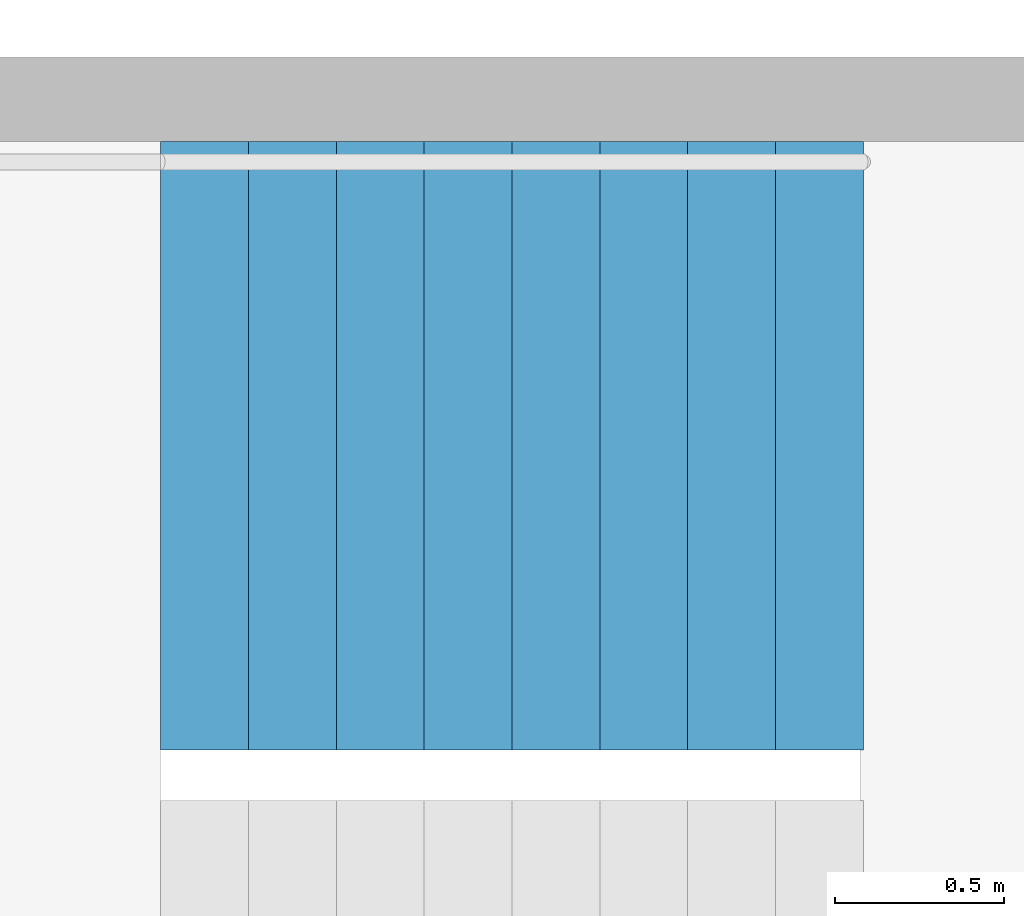
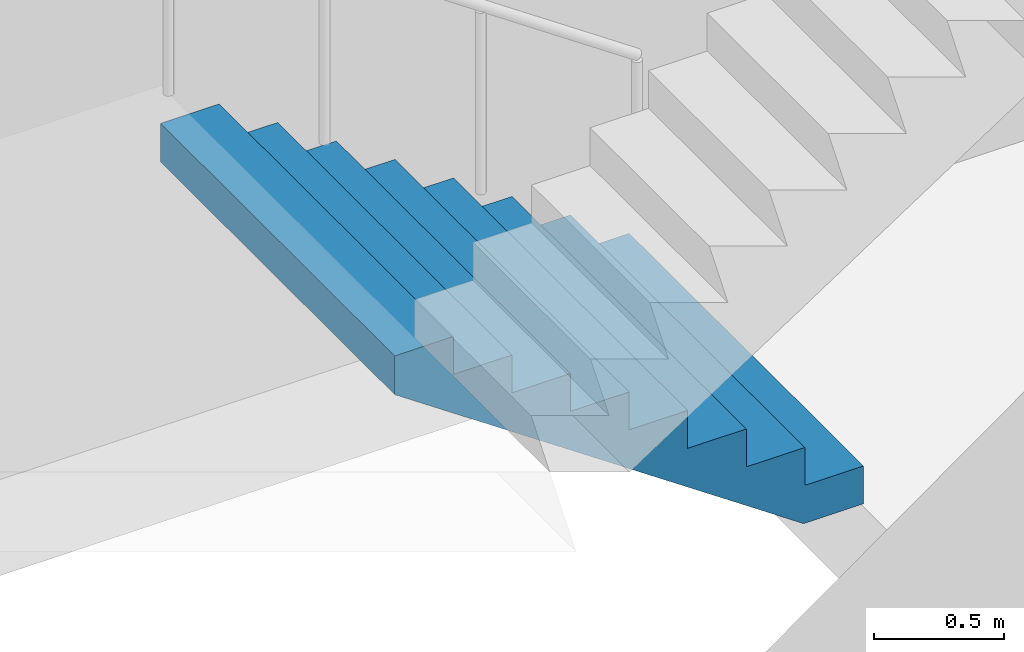
# One storey, part 18 of 25: 1 stair flight, 1 element without a shape of its own.
"""IFC4 building model written with IfcOpenShell, lengths in metres."""

from ifc_helpers import new_model, si_unit, direction, frame, origin, place, context, subcontext, project, spatial, triangles, material, type_object, element, aggregate, save


model = new_model("IFC4")

# Units and contexts
model_context = context("Model", 3, precision=1e-05, world=origin(), true_north=direction((0.0, 1.0)))
body_context = subcontext(model_context, "Body", "Model", "MODEL_VIEW")
ifc_project = project(units=[si_unit("LENGTHUNIT", "METRE"), si_unit("AREAUNIT", "SQUARE_METRE"), si_unit("VOLUMEUNIT", "CUBIC_METRE"), si_unit("PLANEANGLEUNIT", "RADIAN"), si_unit("MASSUNIT", "GRAM", prefix="KILO")], contexts=[model_context])

# Site, building, storey
site_placement = place(None, origin())
site = spatial("IfcSite", under=ifc_project, at=site_placement, CompositionType="ELEMENT")
building_placement = place(site_placement, origin())
building = spatial("IfcBuilding", under=site, at=building_placement, Name="Hakoniwa Tower and Hamabe Station Hall", CompositionType="ELEMENT")
storey_placement = place(building_placement, frame((0.0, 0.0, 202.60009765625)))
storey = spatial("IfcBuildingStorey", under=building, at=storey_placement, Name="L57", CompositionType="ELEMENT", Elevation=202.60009765625)

# Stair, stair flight
ifc_material_1 = material(Name="Concrete C40", Category="concrete")
stair_type = type_object("IfcStairType", Name="ESCAPE STAIR 1800", PredefinedType="HALF_TURN_STAIR", material=ifc_material_1)
stair_placement = place(storey_placement, origin())
stair = element("IfcStair", 1, at=stair_placement, inside=storey, type_object=stair_type, Name="Escape stair ST-2 L57", PredefinedType="HALF_TURN_STAIR")
ifc_material_2 = material(Name="Concrete C40", Category="concrete")
stair_flight_type = type_object("IfcStairFlightType", Name="STAIR FLIGHT 1800", PredefinedType="STRAIGHT", material=ifc_material_2)
stair_flight_placement = place(storey_placement, frame((-23.39990234375, -4.64990234375, 0.0), z_axis=(0.0, 0.0, 1.0), x_axis=(-1.0, 0.0, 0.0)))
stair_flight = element("IfcStairFlight", 2, at=stair_flight_placement, type_object=stair_flight_type, Name="ST-2 flight 1", NumberOfRisers=9, NumberOfTreads=8, PredefinedType="STRAIGHT", RiserHeight=0.177777778, TreadLength=0.26, context=body_context, shape_type="Tessellation", body=[
    triangles([(0.0, 0.89990234375, 0.0), (0.260009765625, 0.89990234375, 0.0), (0.265625, 0.89990234375, 0.0), (0.52001953125, 0.89990234375, 0.174072265625), (0.780029296875, 0.89990234375, 0.351806640625), (1.0400390625, 0.89990234375, 0.529541015625), (1.300048828125, 0.89990234375, 0.707275390625), (1.56005859375, 0.89990234375, 0.885009765625), (1.820068359375, 0.89990234375, 1.062744140625), (2.080078125, 0.89990234375, 1.24072265625), (2.080078125, 0.89990234375, 1.422119140625), (1.820068359375, 0.89990234375, 1.422119140625), (1.820068359375, 0.89990234375, 1.244384765625), (1.56005859375, 0.89990234375, 1.244384765625), (1.56005859375, 0.89990234375, 1.066650390625), (1.300048828125, 0.89990234375, 1.066650390625), (1.300048828125, 0.89990234375, 0.888916015625), (1.0400390625, 0.89990234375, 0.888916015625), (1.0400390625, 0.89990234375, 0.711181640625), (0.780029296875, 0.89990234375, 0.711181640625), (0.780029296875, 0.89990234375, 0.533447265625), (0.52001953125, 0.89990234375, 0.533447265625), (0.52001953125, 0.89990234375, 0.35546875), (0.265625, 0.89990234375, 0.35546875), (0.260009765625, 0.89990234375, 0.35546875), (0.260009765625, 0.89990234375, 0.177734375), (0.0, 0.89990234375, 0.177734375), (0.0, 0.06005859375, 0.0), (0.260009765625, 0.06005859375, 0.0), (0.265625, 0.06005859375, 0.0), (0.52001953125, 0.06005859375, 0.174072265625), (0.780029296875, 0.06005859375, 0.351806640625), (1.0400390625, 0.06005859375, 0.529541015625), (1.300048828125, 0.06005859375, 0.707275390625), (1.56005859375, 0.06005859375, 0.885009765625), (1.820068359375, 0.06005859375, 1.062744140625), (2.080078125, 0.06005859375, 1.24072265625), (2.080078125, 0.06005859375, 1.422119140625), (1.820068359375, 0.06005859375, 1.422119140625), (1.820068359375, 0.06005859375, 1.244384765625), (1.56005859375, 0.06005859375, 1.244384765625), (1.56005859375, 0.06005859375, 1.066650390625), (1.300048828125, 0.06005859375, 1.066650390625), (1.300048828125, 0.06005859375, 0.888916015625), (1.0400390625, 0.06005859375, 0.888916015625), (1.0400390625, 0.06005859375, 0.711181640625), (0.780029296875, 0.06005859375, 0.711181640625), (0.780029296875, 0.06005859375, 0.533447265625), (0.52001953125, 0.06005859375, 0.533447265625), (0.52001953125, 0.06005859375, 0.35546875), (0.265625, 0.06005859375, 0.35546875), (0.260009765625, 0.06005859375, 0.35546875), (0.260009765625, 0.06005859375, 0.177734375), (0.0, 0.06005859375, 0.177734375), (0.0, 0.04296875, 0.0), (0.260009765625, 0.04296875, 0.0), (0.265625, 0.04296875, 0.0), (0.52001953125, 0.04296875, 0.174072265625), (0.780029296875, 0.04296875, 0.351806640625), (1.0400390625, 0.04296875, 0.529541015625), (1.300048828125, 0.04296875, 0.707275390625), (1.56005859375, 0.04296875, 0.885009765625), (1.820068359375, 0.04296875, 1.062744140625), (2.080078125, 0.04296875, 1.24072265625), (2.080078125, 0.04296875, 1.422119140625), (1.820068359375, 0.04296875, 1.422119140625), (1.820068359375, 0.04296875, 1.244384765625), (1.56005859375, 0.04296875, 1.244384765625), (1.56005859375, 0.04296875, 1.066650390625), (1.300048828125, 0.04296875, 1.066650390625), (1.300048828125, 0.04296875, 0.888916015625), (1.0400390625, 0.04296875, 0.888916015625), (1.0400390625, 0.04296875, 0.711181640625), (0.780029296875, 0.04296875, 0.711181640625), (0.780029296875, 0.04296875, 0.533447265625), (0.52001953125, 0.04296875, 0.533447265625), (0.52001953125, 0.04296875, 0.35546875), (0.265625, 0.04296875, 0.35546875), (0.260009765625, 0.04296875, 0.35546875), (0.260009765625, 0.04296875, 0.177734375), (0.0, 0.04296875, 0.177734375), (0.0, 0.025634765625, 0.0), (0.260009765625, 0.025634765625, 0.0), (0.265625, 0.025634765625, 0.0), (0.52001953125, 0.025634765625, 0.174072265625), (0.780029296875, 0.025634765625, 0.351806640625), (1.0400390625, 0.025634765625, 0.529541015625), (1.300048828125, 0.025634765625, 0.707275390625), (1.56005859375, 0.025634765625, 0.885009765625), (1.820068359375, 0.025634765625, 1.062744140625), (2.080078125, 0.025634765625, 1.24072265625), (2.080078125, 0.025634765625, 1.422119140625), (1.820068359375, 0.025634765625, 1.422119140625), (1.820068359375, 0.025634765625, 1.244384765625), (1.56005859375, 0.025634765625, 1.244384765625), (1.56005859375, 0.025634765625, 1.066650390625), (1.300048828125, 0.025634765625, 1.066650390625), (1.300048828125, 0.025634765625, 0.888916015625), (1.0400390625, 0.025634765625, 0.888916015625), (1.0400390625, 0.025634765625, 0.711181640625), (0.780029296875, 0.025634765625, 0.711181640625), (0.780029296875, 0.025634765625, 0.533447265625), (0.52001953125, 0.025634765625, 0.533447265625), (0.52001953125, 0.025634765625, 0.35546875), (0.265625, 0.025634765625, 0.35546875), (0.260009765625, 0.025634765625, 0.35546875), (0.260009765625, 0.025634765625, 0.177734375), (0.0, 0.025634765625, 0.177734375), (0.0, 0.008544921875, 0.0), (0.260009765625, 0.008544921875, 0.0), (0.265625, 0.008544921875, 0.0), (0.52001953125, 0.008544921875, 0.174072265625), (0.780029296875, 0.008544921875, 0.351806640625), (1.0400390625, 0.008544921875, 0.529541015625), (1.300048828125, 0.008544921875, 0.707275390625), (1.56005859375, 0.008544921875, 0.885009765625), (1.820068359375, 0.008544921875, 1.062744140625), (2.080078125, 0.008544921875, 1.24072265625), (2.080078125, 0.008544921875, 1.422119140625), (1.820068359375, 0.008544921875, 1.422119140625), (1.820068359375, 0.008544921875, 1.244384765625), (1.56005859375, 0.008544921875, 1.244384765625), (1.56005859375, 0.008544921875, 1.066650390625), (1.300048828125, 0.008544921875, 1.066650390625), (1.300048828125, 0.008544921875, 0.888916015625), (1.0400390625, 0.008544921875, 0.888916015625), (1.0400390625, 0.008544921875, 0.711181640625), (0.780029296875, 0.008544921875, 0.711181640625), (0.780029296875, 0.008544921875, 0.533447265625), (0.52001953125, 0.008544921875, 0.533447265625), (0.52001953125, 0.008544921875, 0.35546875), (0.265625, 0.008544921875, 0.35546875), (0.260009765625, 0.008544921875, 0.35546875), (0.260009765625, 0.008544921875, 0.177734375), (0.0, 0.008544921875, 0.177734375), (0.0, -0.008544921875, 0.0), (0.260009765625, -0.008544921875, 0.0), (0.265625, -0.008544921875, 0.0), (0.52001953125, -0.008544921875, 0.174072265625), (0.780029296875, -0.008544921875, 0.351806640625), (1.0400390625, -0.008544921875, 0.529541015625), (1.300048828125, -0.008544921875, 0.707275390625), (1.56005859375, -0.008544921875, 0.885009765625), (1.820068359375, -0.008544921875, 1.062744140625), (2.080078125, -0.008544921875, 1.24072265625), (2.080078125, -0.008544921875, 1.422119140625), (1.820068359375, -0.008544921875, 1.422119140625), (1.820068359375, -0.008544921875, 1.244384765625), (1.56005859375, -0.008544921875, 1.244384765625), (1.56005859375, -0.008544921875, 1.066650390625), (1.300048828125, -0.008544921875, 1.066650390625), (1.300048828125, -0.008544921875, 0.888916015625), (1.0400390625, -0.008544921875, 0.888916015625), (1.0400390625, -0.008544921875, 0.711181640625), (0.780029296875, -0.008544921875, 0.711181640625), (0.780029296875, -0.008544921875, 0.533447265625), (0.52001953125, -0.008544921875, 0.533447265625), (0.52001953125, -0.008544921875, 0.35546875), (0.265625, -0.008544921875, 0.35546875), (0.260009765625, -0.008544921875, 0.35546875), (0.260009765625, -0.008544921875, 0.177734375), (0.0, -0.008544921875, 0.177734375), (0.0, -0.025634765625, 0.0), (0.260009765625, -0.025634765625, 0.0), (0.265625, -0.025634765625, 0.0), (0.52001953125, -0.025634765625, 0.174072265625), (0.780029296875, -0.025634765625, 0.351806640625), (1.0400390625, -0.025634765625, 0.529541015625), (1.300048828125, -0.025634765625, 0.707275390625), (1.56005859375, -0.025634765625, 0.885009765625), (1.820068359375, -0.025634765625, 1.062744140625), (2.080078125, -0.025634765625, 1.24072265625), (2.080078125, -0.025634765625, 1.422119140625), (1.820068359375, -0.025634765625, 1.422119140625), (1.820068359375, -0.025634765625, 1.244384765625), (1.56005859375, -0.025634765625, 1.244384765625), (1.56005859375, -0.025634765625, 1.066650390625), (1.300048828125, -0.025634765625, 1.066650390625), (1.300048828125, -0.025634765625, 0.888916015625), (1.0400390625, -0.025634765625, 0.888916015625), (1.0400390625, -0.025634765625, 0.711181640625), (0.780029296875, -0.025634765625, 0.711181640625), (0.780029296875, -0.025634765625, 0.533447265625), (0.52001953125, -0.025634765625, 0.533447265625), (0.52001953125, -0.025634765625, 0.35546875), (0.265625, -0.025634765625, 0.35546875), (0.260009765625, -0.025634765625, 0.35546875), (0.260009765625, -0.025634765625, 0.177734375), (0.0, -0.025634765625, 0.177734375), (0.0, -0.04296875, 0.0), (0.260009765625, -0.04296875, 0.0), (0.265625, -0.04296875, 0.0), (0.52001953125, -0.04296875, 0.174072265625), (0.780029296875, -0.04296875, 0.351806640625), (1.0400390625, -0.04296875, 0.529541015625), (1.300048828125, -0.04296875, 0.707275390625), (1.56005859375, -0.04296875, 0.885009765625), (1.820068359375, -0.04296875, 1.062744140625), (2.080078125, -0.04296875, 1.24072265625), (2.080078125, -0.04296875, 1.422119140625), (1.820068359375, -0.04296875, 1.422119140625), (1.820068359375, -0.04296875, 1.244384765625), (1.56005859375, -0.04296875, 1.244384765625), (1.56005859375, -0.04296875, 1.066650390625), (1.300048828125, -0.04296875, 1.066650390625), (1.300048828125, -0.04296875, 0.888916015625), (1.0400390625, -0.04296875, 0.888916015625), (1.0400390625, -0.04296875, 0.711181640625), (0.780029296875, -0.04296875, 0.711181640625), (0.780029296875, -0.04296875, 0.533447265625), (0.52001953125, -0.04296875, 0.533447265625), (0.52001953125, -0.04296875, 0.35546875), (0.265625, -0.04296875, 0.35546875), (0.260009765625, -0.04296875, 0.35546875), (0.260009765625, -0.04296875, 0.177734375), (0.0, -0.04296875, 0.177734375), (0.0, -0.06005859375, 0.0), (0.260009765625, -0.06005859375, 0.0), (0.265625, -0.06005859375, 0.0), (0.52001953125, -0.06005859375, 0.174072265625), (0.780029296875, -0.06005859375, 0.351806640625), (1.0400390625, -0.06005859375, 0.529541015625), (1.300048828125, -0.06005859375, 0.707275390625), (1.56005859375, -0.06005859375, 0.885009765625), (1.820068359375, -0.06005859375, 1.062744140625), (2.080078125, -0.06005859375, 1.24072265625), (2.080078125, -0.06005859375, 1.422119140625), (1.820068359375, -0.06005859375, 1.422119140625), (1.820068359375, -0.06005859375, 1.244384765625), (1.56005859375, -0.06005859375, 1.244384765625), (1.56005859375, -0.06005859375, 1.066650390625), (1.300048828125, -0.06005859375, 1.066650390625), (1.300048828125, -0.06005859375, 0.888916015625), (1.0400390625, -0.06005859375, 0.888916015625), (1.0400390625, -0.06005859375, 0.711181640625), (0.780029296875, -0.06005859375, 0.711181640625), (0.780029296875, -0.06005859375, 0.533447265625), (0.52001953125, -0.06005859375, 0.533447265625), (0.52001953125, -0.06005859375, 0.35546875), (0.265625, -0.06005859375, 0.35546875), (0.260009765625, -0.06005859375, 0.35546875), (0.260009765625, -0.06005859375, 0.177734375), (0.0, -0.06005859375, 0.177734375), (0.0, -0.89990234375, 0.0), (0.260009765625, -0.89990234375, 0.0), (0.265625, -0.89990234375, 0.0), (0.52001953125, -0.89990234375, 0.174072265625), (0.780029296875, -0.89990234375, 0.351806640625), (1.0400390625, -0.89990234375, 0.529541015625), (1.300048828125, -0.89990234375, 0.707275390625), (1.56005859375, -0.89990234375, 0.885009765625), (1.820068359375, -0.89990234375, 1.062744140625), (2.080078125, -0.89990234375, 1.24072265625), (2.080078125, -0.89990234375, 1.422119140625), (1.820068359375, -0.89990234375, 1.422119140625), (1.820068359375, -0.89990234375, 1.244384765625), (1.56005859375, -0.89990234375, 1.244384765625), (1.56005859375, -0.89990234375, 1.066650390625), (1.300048828125, -0.89990234375, 1.066650390625), (1.300048828125, -0.89990234375, 0.888916015625), (1.0400390625, -0.89990234375, 0.888916015625), (1.0400390625, -0.89990234375, 0.711181640625), (0.780029296875, -0.89990234375, 0.711181640625), (0.780029296875, -0.89990234375, 0.533447265625), (0.52001953125, -0.89990234375, 0.533447265625), (0.52001953125, -0.89990234375, 0.35546875), (0.265625, -0.89990234375, 0.35546875), (0.260009765625, -0.89990234375, 0.35546875), (0.260009765625, -0.89990234375, 0.177734375), (0.0, -0.89990234375, 0.177734375)], [[2, 27, 26], [245, 269, 270], [2, 1, 27], [245, 270, 244], [3, 25, 24], [246, 267, 268], [3, 26, 25], [246, 268, 269], [3, 2, 26], [246, 269, 245], [4, 24, 23], [247, 266, 267], [4, 3, 24], [247, 267, 246], [5, 22, 21], [248, 264, 265], [5, 23, 22], [248, 265, 266], [5, 4, 23], [248, 266, 247], [6, 20, 19], [249, 262, 263], [6, 21, 20], [249, 263, 264], [6, 5, 21], [249, 264, 248], [7, 18, 17], [250, 260, 261], [7, 19, 18], [250, 261, 262], [7, 6, 19], [250, 262, 249], [8, 16, 15], [251, 258, 259], [8, 17, 16], [251, 259, 260], [8, 7, 17], [251, 260, 250], [9, 14, 13], [252, 256, 257], [9, 15, 14], [252, 257, 258], [9, 8, 15], [252, 258, 251], [10, 12, 11], [253, 254, 255], [10, 13, 12], [253, 255, 256], [10, 9, 13], [253, 256, 252], [1, 2, 29], [1, 29, 28], [28, 29, 56], [28, 56, 55], [55, 56, 83], [55, 83, 82], [82, 83, 110], [82, 110, 109], [109, 110, 137], [109, 137, 136], [136, 137, 164], [136, 164, 163], [163, 164, 191], [163, 191, 190], [190, 191, 218], [190, 218, 217], [217, 218, 245], [217, 245, 244], [2, 3, 30], [2, 30, 29], [29, 30, 57], [29, 57, 56], [56, 57, 84], [56, 84, 83], [83, 84, 111], [83, 111, 110], [110, 111, 138], [110, 138, 137], [137, 138, 165], [137, 165, 164], [164, 165, 192], [164, 192, 191], [191, 192, 219], [191, 219, 218], [218, 219, 246], [218, 246, 245], [3, 4, 31], [3, 31, 30], [30, 31, 58], [30, 58, 57], [57, 58, 85], [57, 85, 84], [84, 85, 112], [84, 112, 111], [111, 112, 139], [111, 139, 138], [138, 139, 166], [138, 166, 165], [165, 166, 193], [165, 193, 192], [192, 193, 220], [192, 220, 219], [219, 220, 247], [219, 247, 246], [4, 5, 32], [4, 32, 31], [31, 32, 59], [31, 59, 58], [58, 59, 86], [58, 86, 85], [85, 86, 113], [85, 113, 112], [112, 113, 140], [112, 140, 139], [139, 140, 167], [139, 167, 166], [166, 167, 194], [166, 194, 193], [193, 194, 221], [193, 221, 220], [220, 221, 248], [220, 248, 247], [5, 6, 33], [5, 33, 32], [32, 33, 60], [32, 60, 59], [59, 60, 87], [59, 87, 86], [86, 87, 114], [86, 114, 113], [113, 114, 141], [113, 141, 140], [140, 141, 168], [140, 168, 167], [167, 168, 195], [167, 195, 194], [194, 195, 222], [194, 222, 221], [221, 222, 249], [221, 249, 248], [6, 7, 34], [6, 34, 33], [33, 34, 61], [33, 61, 60], [60, 61, 88], [60, 88, 87], [87, 88, 115], [87, 115, 114], [114, 115, 142], [114, 142, 141], [141, 142, 169], [141, 169, 168], [168, 169, 196], [168, 196, 195], [195, 196, 223], [195, 223, 222], [222, 223, 250], [222, 250, 249], [7, 8, 35], [7, 35, 34], [34, 35, 62], [34, 62, 61], [61, 62, 89], [61, 89, 88], [88, 89, 116], [88, 116, 115], [115, 116, 143], [115, 143, 142], [142, 143, 170], [142, 170, 169], [169, 170, 197], [169, 197, 196], [196, 197, 224], [196, 224, 223], [223, 224, 251], [223, 251, 250], [8, 9, 36], [8, 36, 35], [35, 36, 63], [35, 63, 62], [62, 63, 90], [62, 90, 89], [89, 90, 117], [89, 117, 116], [116, 117, 144], [116, 144, 143], [143, 144, 171], [143, 171, 170], [170, 171, 198], [170, 198, 197], [197, 198, 225], [197, 225, 224], [224, 225, 252], [224, 252, 251], [9, 10, 37], [9, 37, 36], [36, 37, 64], [36, 64, 63], [63, 64, 91], [63, 91, 90], [90, 91, 118], [90, 118, 117], [117, 118, 145], [117, 145, 144], [144, 145, 172], [144, 172, 171], [171, 172, 199], [171, 199, 198], [198, 199, 226], [198, 226, 225], [225, 226, 253], [225, 253, 252], [10, 11, 38], [10, 38, 37], [37, 38, 65], [37, 65, 64], [64, 65, 92], [64, 92, 91], [91, 92, 119], [91, 119, 118], [118, 119, 146], [118, 146, 145], [145, 146, 173], [145, 173, 172], [172, 173, 200], [172, 200, 199], [199, 200, 227], [199, 227, 226], [226, 227, 254], [226, 254, 253], [11, 12, 39], [11, 39, 38], [38, 39, 66], [38, 66, 65], [65, 66, 93], [65, 93, 92], [92, 93, 120], [92, 120, 119], [119, 120, 147], [119, 147, 146], [146, 147, 174], [146, 174, 173], [173, 174, 201], [173, 201, 200], [200, 201, 228], [200, 228, 227], [227, 228, 255], [227, 255, 254], [12, 13, 40], [12, 40, 39], [39, 40, 67], [39, 67, 66], [66, 67, 94], [66, 94, 93], [93, 94, 121], [93, 121, 120], [120, 121, 148], [120, 148, 147], [147, 148, 175], [147, 175, 174], [174, 175, 202], [174, 202, 201], [201, 202, 229], [201, 229, 228], [228, 229, 256], [228, 256, 255], [13, 14, 41], [13, 41, 40], [40, 41, 68], [40, 68, 67], [67, 68, 95], [67, 95, 94], [94, 95, 122], [94, 122, 121], [121, 122, 149], [121, 149, 148], [148, 149, 176], [148, 176, 175], [175, 176, 203], [175, 203, 202], [202, 203, 230], [202, 230, 229], [229, 230, 257], [229, 257, 256], [14, 15, 42], [14, 42, 41], [41, 42, 69], [41, 69, 68], [68, 69, 96], [68, 96, 95], [95, 96, 123], [95, 123, 122], [122, 123, 150], [122, 150, 149], [149, 150, 177], [149, 177, 176], [176, 177, 204], [176, 204, 203], [203, 204, 231], [203, 231, 230], [230, 231, 258], [230, 258, 257], [15, 16, 43], [15, 43, 42], [42, 43, 70], [42, 70, 69], [69, 70, 97], [69, 97, 96], [96, 97, 124], [96, 124, 123], [123, 124, 151], [123, 151, 150], [150, 151, 178], [150, 178, 177], [177, 178, 205], [177, 205, 204], [204, 205, 232], [204, 232, 231], [231, 232, 259], [231, 259, 258], [16, 17, 44], [16, 44, 43], [43, 44, 71], [43, 71, 70], [70, 71, 98], [70, 98, 97], [97, 98, 125], [97, 125, 124], [124, 125, 152], [124, 152, 151], [151, 152, 179], [151, 179, 178], [178, 179, 206], [178, 206, 205], [205, 206, 233], [205, 233, 232], [232, 233, 260], [232, 260, 259], [17, 18, 45], [17, 45, 44], [44, 45, 72], [44, 72, 71], [71, 72, 99], [71, 99, 98], [98, 99, 126], [98, 126, 125], [125, 126, 153], [125, 153, 152], [152, 153, 180], [152, 180, 179], [179, 180, 207], [179, 207, 206], [206, 207, 234], [206, 234, 233], [233, 234, 261], [233, 261, 260], [18, 19, 46], [18, 46, 45], [45, 46, 73], [45, 73, 72], [72, 73, 100], [72, 100, 99], [99, 100, 127], [99, 127, 126], [126, 127, 154], [126, 154, 153], [153, 154, 181], [153, 181, 180], [180, 181, 208], [180, 208, 207], [207, 208, 235], [207, 235, 234], [234, 235, 262], [234, 262, 261], [19, 20, 47], [19, 47, 46], [46, 47, 74], [46, 74, 73], [73, 74, 101], [73, 101, 100], [100, 101, 128], [100, 128, 127], [127, 128, 155], [127, 155, 154], [154, 155, 182], [154, 182, 181], [181, 182, 209], [181, 209, 208], [208, 209, 236], [208, 236, 235], [235, 236, 263], [235, 263, 262], [20, 21, 48], [20, 48, 47], [47, 48, 75], [47, 75, 74], [74, 75, 102], [74, 102, 101], [101, 102, 129], [101, 129, 128], [128, 129, 156], [128, 156, 155], [155, 156, 183], [155, 183, 182], [182, 183, 210], [182, 210, 209], [209, 210, 237], [209, 237, 236], [236, 237, 264], [236, 264, 263], [21, 22, 49], [21, 49, 48], [48, 49, 76], [48, 76, 75], [75, 76, 103], [75, 103, 102], [102, 103, 130], [102, 130, 129], [129, 130, 157], [129, 157, 156], [156, 157, 184], [156, 184, 183], [183, 184, 211], [183, 211, 210], [210, 211, 238], [210, 238, 237], [237, 238, 265], [237, 265, 264], [22, 23, 50], [22, 50, 49], [49, 50, 77], [49, 77, 76], [76, 77, 104], [76, 104, 103], [103, 104, 131], [103, 131, 130], [130, 131, 158], [130, 158, 157], [157, 158, 185], [157, 185, 184], [184, 185, 212], [184, 212, 211], [211, 212, 239], [211, 239, 238], [238, 239, 266], [238, 266, 265], [23, 24, 51], [23, 51, 50], [50, 51, 78], [50, 78, 77], [77, 78, 105], [77, 105, 104], [104, 105, 132], [104, 132, 131], [131, 132, 159], [131, 159, 158], [158, 159, 186], [158, 186, 185], [185, 186, 213], [185, 213, 212], [212, 213, 240], [212, 240, 239], [239, 240, 267], [239, 267, 266], [24, 25, 52], [24, 52, 51], [51, 52, 79], [51, 79, 78], [78, 79, 106], [78, 106, 105], [105, 106, 133], [105, 133, 132], [132, 133, 160], [132, 160, 159], [159, 160, 187], [159, 187, 186], [186, 187, 214], [186, 214, 213], [213, 214, 241], [213, 241, 240], [240, 241, 268], [240, 268, 267], [25, 26, 53], [25, 53, 52], [52, 53, 80], [52, 80, 79], [79, 80, 107], [79, 107, 106], [106, 107, 134], [106, 134, 133], [133, 134, 161], [133, 161, 160], [160, 161, 188], [160, 188, 187], [187, 188, 215], [187, 215, 214], [214, 215, 242], [214, 242, 241], [241, 242, 269], [241, 269, 268], [26, 27, 54], [26, 54, 53], [53, 54, 81], [53, 81, 80], [80, 81, 108], [80, 108, 107], [107, 108, 135], [107, 135, 134], [134, 135, 162], [134, 162, 161], [161, 162, 189], [161, 189, 188], [188, 189, 216], [188, 216, 215], [215, 216, 243], [215, 243, 242], [242, 243, 270], [242, 270, 269], [27, 1, 28], [27, 28, 54], [54, 28, 55], [54, 55, 81], [81, 55, 82], [81, 82, 108], [108, 82, 109], [108, 109, 135], [135, 109, 136], [135, 136, 162], [162, 136, 163], [162, 163, 189], [189, 163, 190], [189, 190, 216], [216, 190, 217], [216, 217, 243], [243, 217, 244], [243, 244, 270]], closed=True),
])
aggregate(stair, [stair_flight])

save(model, "model.ifc")
